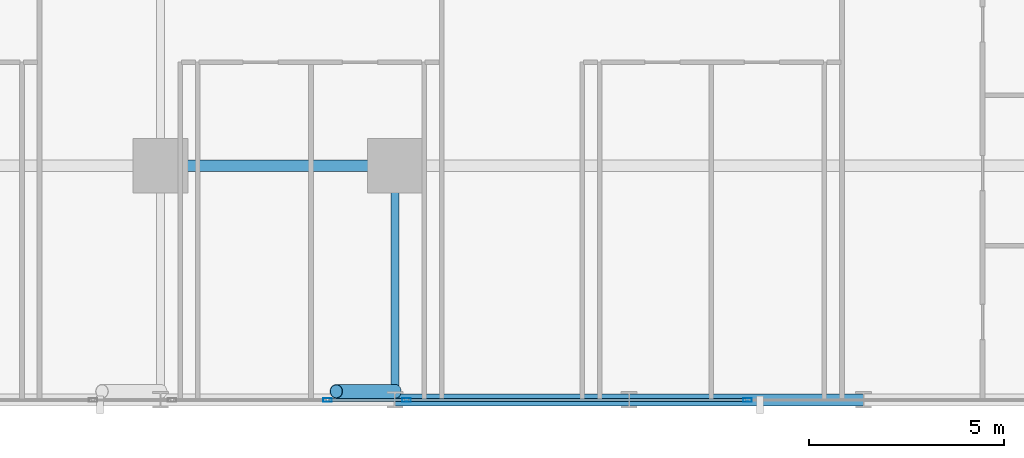
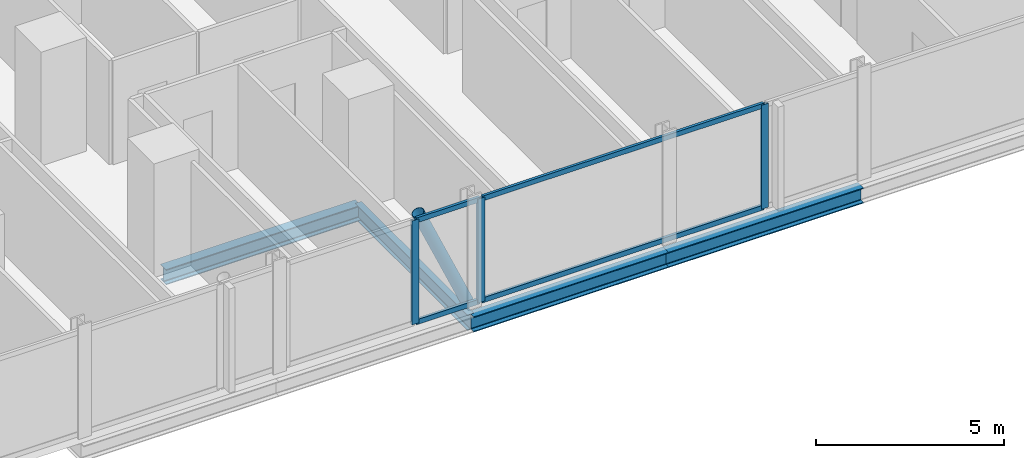
# One storey, part 7 of 34: 8 members, 4 beams, 2 elements without a shape of their own.
"""IFC4 building model written with IfcOpenShell, lengths in metres."""

from ifc_helpers import new_model, si_unit, direction, frame, origin, origin_2d, place, context, subcontext, project, spatial, hollow_rectangle, hollow_circle, i_section, extrude, material, layer, layer_set, material_profile, profile_set, type_object, element, aggregate, save


model = new_model("IFC4")

# Units and contexts
model_context = context("Model", 3, precision=1e-05, world=origin(), true_north=direction((0.0, 1.0)))
body_context = subcontext(model_context, "Body", "Model", "MODEL_VIEW")
ifc_project = project(units=[si_unit("LENGTHUNIT", "METRE"), si_unit("AREAUNIT", "SQUARE_METRE"), si_unit("VOLUMEUNIT", "CUBIC_METRE"), si_unit("PLANEANGLEUNIT", "RADIAN"), si_unit("MASSUNIT", "GRAM", prefix="KILO")], contexts=[model_context])

# Site, building, storey
site_placement = place(None, origin())
site = spatial("IfcSite", under=ifc_project, at=site_placement, CompositionType="ELEMENT")
building_placement = place(site_placement, origin())
building = spatial("IfcBuilding", under=site, at=building_placement, Name="Keshet Zoharim Tower", CompositionType="ELEMENT")
storey_placement = place(building_placement, frame((0.0, 0.0, 31.39990234375)))
storey = spatial("IfcBuildingStorey", under=building, at=storey_placement, Name="L06", CompositionType="ELEMENT", Elevation=31.39990234375)

# Beams
ifc_material_1 = material(Name="Steel S355", Category="steel")
ifc_material_profile_1 = material_profile(ifc_material_1, i_section(OverallWidth=0.199951171875, OverallDepth=0.5, WebThickness=0.01025390625, FlangeThickness=0.01611328125, FilletRadius=0.02099609375, at=origin_2d()), Name="IPE500")
ifc_profile_set_1 = profile_set([ifc_material_profile_1], Name="Steel S355")
beam_type_1 = type_object("IfcBeamType", Name="BM-PRI-IP500", PredefinedType="BEAM", material=ifc_profile_set_1)
beam_placement = place(storey_placement, frame((39.0, 0.699951171875, -0.56494140625), z_axis=(0.0, 1.0, 0.0), x_axis=(-1.0, 0.0, 0.0)))
element("IfcBeam", 1, at=beam_placement, inside=storey, type_object=beam_type_1, Name="L06 Primary Girder Y-012", PredefinedType="BEAM", context=body_context, shape_type="SweptSolid", body=[
    extrude(i_section(OverallWidth=0.199951171875, OverallDepth=0.5, WebThickness=0.01025390625, FlangeThickness=0.01611328125, FilletRadius=0.02099609375, at=origin_2d()), origin(), (0.0, 0.0, 1.0), 6.0),
])
ifc_material_profile_2 = material_profile(ifc_material_1, i_section(OverallWidth=0.300048828125, OverallDepth=0.5, WebThickness=0.014404296875, FlangeThickness=0.028076171875, FilletRadius=0.027099609375, at=origin_2d()), Name="HEB500")
ifc_profile_set_2 = profile_set([ifc_material_profile_2], Name="Steel S355")
beam_type_2 = type_object("IfcBeamType", Name="BM-WEB-HB500", PredefinedType="BEAM", material=ifc_profile_set_2)
for number, where, z_axis, x_axis, name in (
    (2, (39.0, 0.699951171875, -0.56494140625), (1.0, 0.0, 0.0), (0.0, 1.0, 0.0), "L06 Primary Girder X-003"),
    (3, (45.0, 0.699951171875, -0.56494140625), (1.0, 0.0, 0.0), (0.0, 1.0, 0.0), "L06 Primary Girder X-004"),
    (4, (33.0, 6.699951171875, -0.56494140625), (1.0, 0.0, 0.0), (0.0, 1.0, 0.0), "L06 Primary Girder X-008"),
):
    element("IfcBeam", number, at=place(storey_placement, frame(where, z_axis=z_axis, x_axis=x_axis)), inside=storey, type_object=beam_type_2, Name=name, PredefinedType="BEAM", context=body_context, shape_type="SweptSolid", body=[
        extrude(i_section(OverallWidth=0.300048828125, OverallDepth=0.5, WebThickness=0.014404296875, FlangeThickness=0.028076171875, FilletRadius=0.027099609375, at=origin_2d()), origin(), (0.0, 0.0, 1.0), 6.0),
    ])

# Curtain wall, members
ifc_material_2 = material(Name="Aluminium 6063-T6", Category="aluminium")
ifc_layer = layer(ifc_material_2, 0.179931640625)
ifc_layer_set = layer_set([ifc_layer], Name="Aluminium 6063-T6")
curtain_wall_type = type_object("IfcCurtainWallType", Name="CW-SYS-01", PredefinedType="NOTDEFINED", material=ifc_layer_set)
curtain_wall_1_placement = place(storey_placement, origin())
curtain_wall_1 = element("IfcCurtainWall", 5, at=curtain_wall_1_placement, inside=storey, type_object=curtain_wall_type, Name="L06 Unitised Curtain Wall 26", PredefinedType="NOTDEFINED")
ifc_material_profile_3 = material_profile(ifc_material_2, hollow_rectangle(XDim=0.090087890625, YDim=0.219970703125, WallThickness=0.0048828125, at=origin_2d()), Name="MUL-90x220")
ifc_profile_set_3 = profile_set([ifc_material_profile_3], Name="Aluminium 6063-T6")
member_type_1 = type_object("IfcMemberType", Name="CWM-M22", PredefinedType="MULLION", material=ifc_profile_set_3)
member_1_placement = place(storey_placement, frame((48.03271484375, 0.699951171875, 0.0), z_axis=(0.0, 0.0, 1.0), x_axis=(0.0, -1.0, 0.0)))
member_1 = element("IfcMember", 6, at=member_1_placement, type_object=member_type_1, Name="CW-01 mullion 2", PredefinedType="MULLION", context=body_context, shape_type="SweptSolid", body=[
    extrude(hollow_rectangle(XDim=0.090087890625, YDim=0.219970703125, WallThickness=0.0048828125, at=origin_2d()), origin(), (0.0, 0.0, 1.0), 3.385009765625),
])
member_2_placement = place(storey_placement, frame((39.297607421875, 0.699951171875, 0.0), z_axis=(0.0, 0.0, 1.0), x_axis=(0.0, -1.0, 0.0)))
member_2 = element("IfcMember", 7, at=member_2_placement, type_object=member_type_1, Name="CW-01 mullion 3", PredefinedType="MULLION", context=body_context, shape_type="SweptSolid", body=[
    extrude(hollow_rectangle(XDim=0.090087890625, YDim=0.219970703125, WallThickness=0.0048828125, at=origin_2d()), origin(), (0.0, 0.0, 1.0), 3.385009765625),
])

# Curtain wall, member
curtain_wall_2_placement = place(storey_placement, origin())
curtain_wall_2 = element("IfcCurtainWall", 8, at=curtain_wall_2_placement, inside=storey, type_object=curtain_wall_type, Name="L06 Unitised Curtain Wall 26 Part 2", PredefinedType="NOTDEFINED")
member_3_placement = place(storey_placement, frame((37.2724609375, 0.699951171875, 0.0), z_axis=(0.0, 0.0, 1.0), x_axis=(0.0, -1.0, 0.0)))
member_3 = element("IfcMember", 9, at=member_3_placement, type_object=member_type_1, Name="CW-01 mullion 2", PredefinedType="MULLION", context=body_context, shape_type="SweptSolid", body=[
    extrude(hollow_rectangle(XDim=0.090087890625, YDim=0.219970703125, WallThickness=0.0048828125, at=origin_2d()), origin(), (0.0, 0.0, 1.0), 3.385009765625),
])

# Member
ifc_material_profile_4 = material_profile(ifc_material_2, hollow_rectangle(XDim=0.0849609375, YDim=0.159912109375, WallThickness=0.00439453125, at=origin_2d()), Name="TRN-85x160")
ifc_profile_set_4 = profile_set([ifc_material_profile_4], Name="Aluminium 6063-T6")
member_type_2 = type_object("IfcMemberType", Name="CWT-T16", PredefinedType="USERDEFINED", material=ifc_profile_set_4)
member_4_placement = place(storey_placement, frame((47.997802734375, 0.699951171875, 0.03515625), z_axis=(-1.0, 0.0, 0.0), x_axis=(0.0, -1.0, 0.0)))
member_4 = element("IfcMember", 10, at=member_4_placement, type_object=member_type_2, Name="CW-01 transom 2.1", ObjectType="TRANSOM", PredefinedType="USERDEFINED", context=body_context, shape_type="SweptSolid", body=[
    extrude(hollow_rectangle(XDim=0.0849609375, YDim=0.159912109375, WallThickness=0.00439453125, at=origin_2d()), origin(), (0.0, 0.0, 1.0), 8.665283203125),
])

member_5_placement = place(storey_placement, frame((47.997802734375, 0.699951171875, 3.35009765625), z_axis=(-1.0, 0.0, 0.0), x_axis=(0.0, -1.0, 0.0)))
member_5 = element("IfcMember", 11, at=member_5_placement, type_object=member_type_2, Name="CW-01 transom 2.2", ObjectType="TRANSOM", PredefinedType="USERDEFINED", context=body_context, shape_type="SweptSolid", body=[
    extrude(hollow_rectangle(XDim=0.0849609375, YDim=0.159912109375, WallThickness=0.00439453125, at=origin_2d()), origin(), (0.0, 0.0, 1.0), 8.665283203125),
])

aggregate(curtain_wall_1, [member_1, member_2, member_4, member_5])

member_6_placement = place(storey_placement, frame((39.2626953125, 0.699951171875, 0.03515625), z_axis=(-1.0, 0.0, 0.0), x_axis=(0.0, -1.0, 0.0)))
member_6 = element("IfcMember", 12, at=member_6_placement, type_object=member_type_2, Name="CW-01 transom 1.1", ObjectType="TRANSOM", PredefinedType="USERDEFINED", context=body_context, shape_type="SweptSolid", body=[
    extrude(hollow_rectangle(XDim=0.0849609375, YDim=0.159912109375, WallThickness=0.00439453125, at=origin_2d()), origin(), (0.0, 0.0, 1.0), 1.955322265625),
])

member_7_placement = place(storey_placement, frame((39.2626953125, 0.699951171875, 3.35009765625), z_axis=(-1.0, 0.0, 0.0), x_axis=(0.0, -1.0, 0.0)))
member_7 = element("IfcMember", 13, at=member_7_placement, type_object=member_type_2, Name="CW-01 transom 1.2", ObjectType="TRANSOM", PredefinedType="USERDEFINED", context=body_context, shape_type="SweptSolid", body=[
    extrude(hollow_rectangle(XDim=0.0849609375, YDim=0.159912109375, WallThickness=0.00439453125, at=origin_2d()), origin(), (0.0, 0.0, 1.0), 1.955322265625),
])

aggregate(curtain_wall_2, [member_3, member_6, member_7])

ifc_material_profile_5 = material_profile(ifc_material_1, hollow_circle(Radius=0.177734375, WallThickness=0.012451171875, at=origin_2d()), Name="CHS355x12.5")
ifc_profile_set_5 = profile_set([ifc_material_profile_5], Name="Steel S355")
member_type_3 = type_object("IfcMemberType", Name="MB-BR-C355", PredefinedType="BRACE", material=ifc_profile_set_5)
member_8_placement = place(storey_placement, frame((39.0, 0.919921875, 0.0), z_axis=(-0.405134846829, 0.0, 0.91425694194), x_axis=(0.0, -1.0, 0.0)))
element("IfcMember", 14, at=member_8_placement, inside=storey, type_object=member_type_3, Name="L06 Perimeter Tube Brace 03", PredefinedType="BRACE", context=body_context, shape_type="SweptSolid", body=[
    extrude(hollow_circle(Radius=0.177734375, WallThickness=0.012451171875, at=origin_2d()), origin(), (0.0, 0.0, 1.0), 3.702392578125),
])

save(model, "model.ifc")
